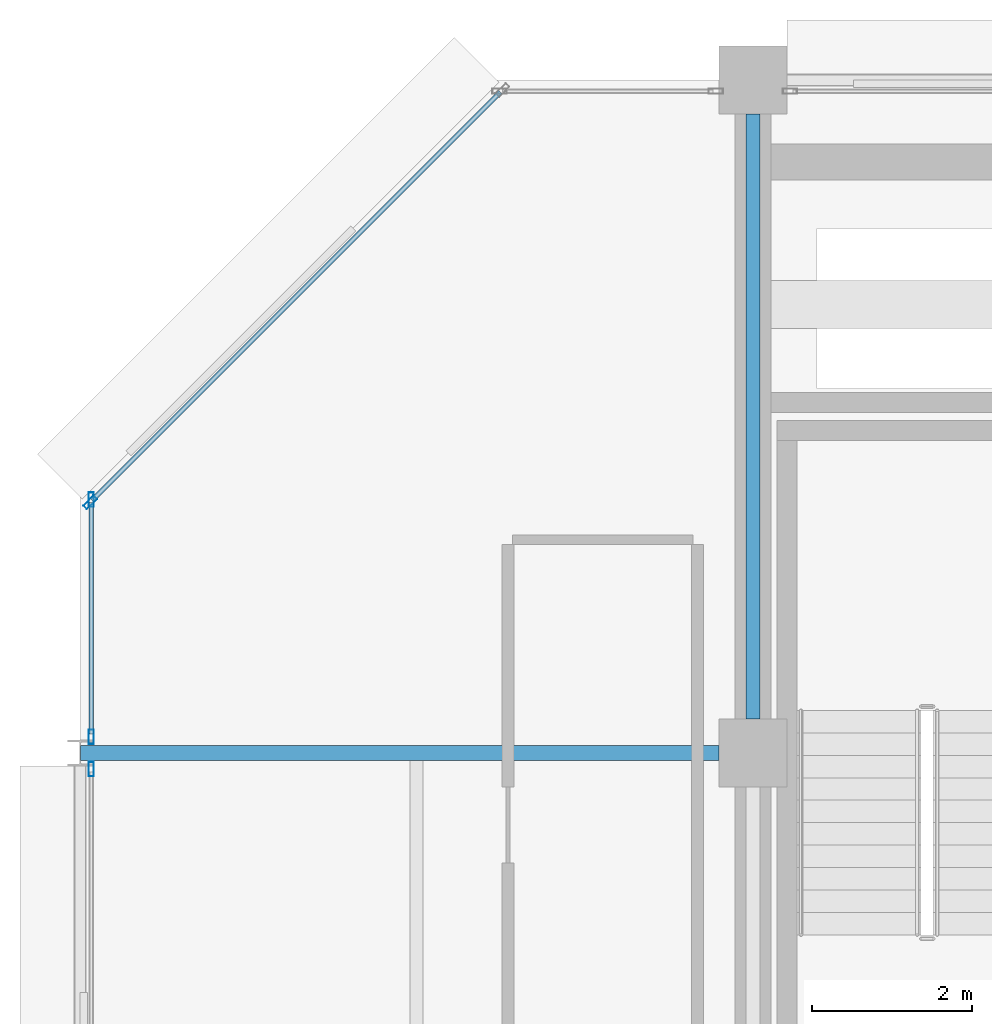
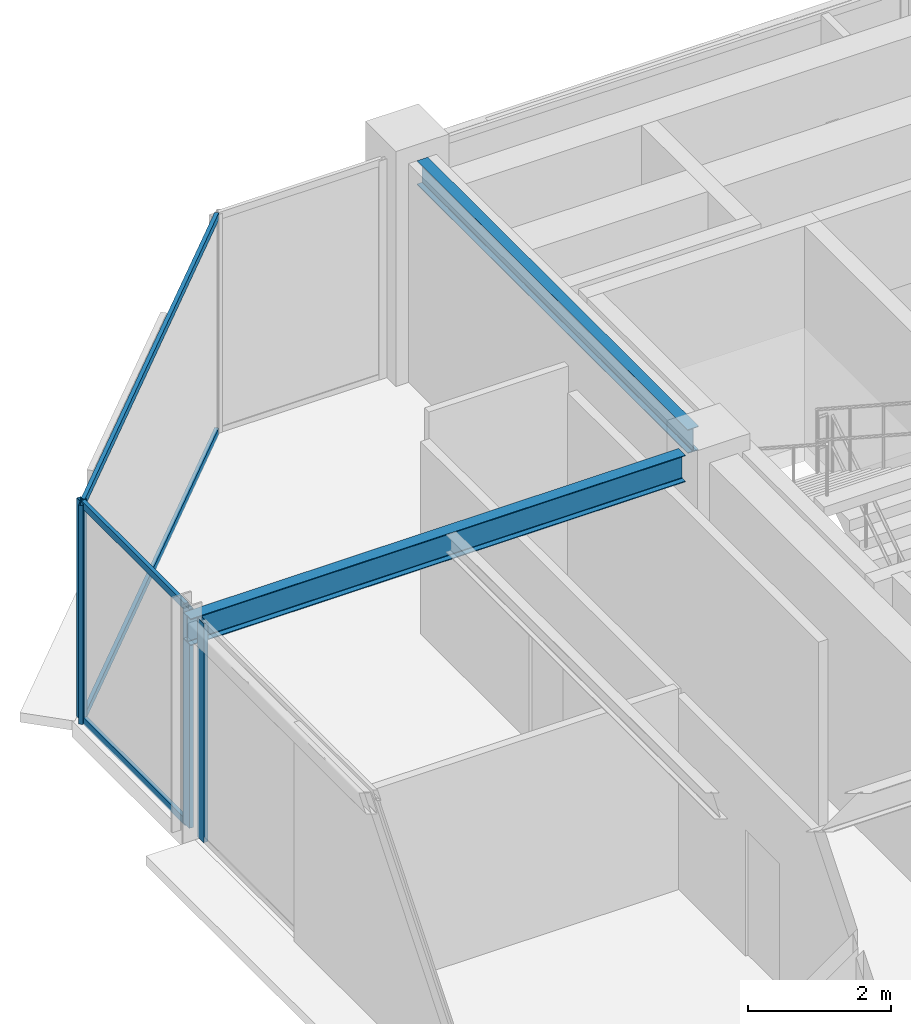
# One storey, part 16 of 25: 8 members, 2 beams, 3 elements without a shape of their own.
"""IFC4 building model written with IfcOpenShell, lengths in metres."""

from ifc_helpers import new_model, si_unit, direction, frame, origin, origin_2d, place, context, subcontext, project, spatial, hollow_rectangle, i_section, extrude, material, layer, layer_set, material_profile, profile_set, type_object, element, aggregate, save


model = new_model("IFC4")

# Units and contexts
model_context = context("Model", 3, precision=1e-05, world=origin(), true_north=direction((0.0, 1.0)))
body_context = subcontext(model_context, "Body", "Model", "MODEL_VIEW")
ifc_project = project(units=[si_unit("LENGTHUNIT", "METRE"), si_unit("AREAUNIT", "SQUARE_METRE"), si_unit("VOLUMEUNIT", "CUBIC_METRE"), si_unit("PLANEANGLEUNIT", "RADIAN"), si_unit("MASSUNIT", "GRAM", prefix="KILO")], contexts=[model_context])

# Site, building, storey
site_placement = place(None, origin())
site = spatial("IfcSite", under=ifc_project, at=site_placement, CompositionType="ELEMENT")
building_placement = place(site_placement, origin())
building = spatial("IfcBuilding", under=site, at=building_placement, Name="Nerrivon Quay Data Exchange", CompositionType="ELEMENT")
storey_placement = place(building_placement, frame((0.0, 0.0, 302.199951171875)))
storey = spatial("IfcBuildingStorey", under=building, at=storey_placement, Name="L72", CompositionType="ELEMENT", Elevation=302.199951171875)

# Beams
ifc_material_1 = material(Name="Steel Grade 350", Category="steel")
ifc_material_profile_1 = material_profile(ifc_material_1, i_section(OverallWidth=0.18994140625, OverallDepth=0.4541015625, WebThickness=0.008544921875, FlangeThickness=0.0126953125, FilletRadius=0.011474609375, at=origin_2d()), Name="460UB67.1")
ifc_profile_set_1 = profile_set([ifc_material_profile_1], Name="Steel Grade 350")
beam_type_1 = type_object("IfcBeamType", Name="BM-G6-460UB67", PredefinedType="BEAM", material=ifc_profile_set_1)
beam_1_placement = place(storey_placement, frame((0.0078125, 33.60009765625, 3.498046875), z_axis=(1.0, 0.0, 0.0), x_axis=(0.0, 1.0, 0.0)))
element("IfcBeam", 1, at=beam_1_placement, inside=storey, type_object=beam_type_1, Name="L72 EW Girder Y=33.6 (0.0..8.4)", PredefinedType="BEAM", context=body_context, shape_type="SweptSolid", body=[
    extrude(i_section(OverallWidth=0.18994140625, OverallDepth=0.4541015625, WebThickness=0.008544921875, FlangeThickness=0.0126953125, FilletRadius=0.011474609375, at=origin_2d()), origin(), (0.0, 0.0, 1.0), 7.96728515625),
])
ifc_material_profile_2 = material_profile(ifc_material_1, i_section(OverallWidth=0.177978515625, OverallDepth=0.406005859375, WebThickness=0.0078125, FlangeThickness=0.0126953125, FilletRadius=0.011474609375, at=origin_2d()), Name="410UB59.7")
ifc_profile_set_2 = profile_set([ifc_material_profile_2], Name="Steel Grade 350")
beam_type_2 = type_object("IfcBeamType", Name="BM-J1-410UB60", PredefinedType="JOIST", material=ifc_profile_set_2)
beam_2_placement = place(storey_placement, frame((8.39990234375, 34.02490234375, 3.52197265625), z_axis=(0.0, 1.0, 0.0), x_axis=(-1.0, 0.0, 0.0)))
element("IfcBeam", 2, at=beam_2_placement, inside=storey, type_object=beam_type_2, Name="L72 NS Girder X=8.4 (33.6..42.0)", PredefinedType="JOIST", context=body_context, shape_type="SweptSolid", body=[
    extrude(i_section(OverallWidth=0.177978515625, OverallDepth=0.406005859375, WebThickness=0.0078125, FlangeThickness=0.0126953125, FilletRadius=0.011474609375, at=origin_2d()), origin(), (0.0, 0.0, 1.0), 7.550048828125),
])

# Curtain wall, member
ifc_material_2 = material(Name="Anodised aluminium 6063-T6", Category="aluminium")
ifc_layer = layer(ifc_material_2, 0.195068359375)
ifc_layer_set = layer_set([ifc_layer], Name="Anodised aluminium 6063-T6")
curtain_wall_type = type_object("IfcCurtainWallType", Name="CW-SYS-06", PredefinedType="NOTDEFINED", material=ifc_layer_set)
curtain_wall_1_placement = place(storey_placement, origin())
curtain_wall_1 = element("IfcCurtainWall", 3, at=curtain_wall_1_placement, inside=storey, type_object=curtain_wall_type, Name="L72 Unitised Curtain Wall 11", PredefinedType="NOTDEFINED")
ifc_material_profile_3 = material_profile(ifc_material_2, hollow_rectangle(XDim=0.06494140625, YDim=0.179931640625, WallThickness=0.00341796875, at=origin_2d()), Name="ALU-MULL-180x65")
ifc_profile_set_3 = profile_set([ifc_material_profile_3], Name="Anodised aluminium 6063-T6")
member_type_1 = type_object("IfcMemberType", Name="CWM-180x65", PredefinedType="MULLION", material=ifc_profile_set_3)
member_1_placement = place(storey_placement, frame((0.139892578125, 33.39892578125, 0.0), z_axis=(0.0, 0.0, 1.0), x_axis=(-1.0, 0.0, 0.0)))
member_1 = element("IfcMember", 4, at=member_1_placement, type_object=member_type_1, Name="CW06 mullion 2", PredefinedType="MULLION", context=body_context, shape_type="SweptSolid", body=[
    extrude(hollow_rectangle(XDim=0.06494140625, YDim=0.179931640625, WallThickness=0.00341796875, at=origin_2d()), origin(), (0.0, 0.0, 1.0), 3.72509765625),
])
aggregate(curtain_wall_1, [member_1])

# Curtain wall, members
curtain_wall_2_placement = place(storey_placement, origin())
curtain_wall_2 = element("IfcCurtainWall", 5, at=curtain_wall_2_placement, inside=storey, type_object=curtain_wall_type, Name="L72 Unitised Curtain Wall 12", PredefinedType="NOTDEFINED")
member_2_placement = place(storey_placement, frame((0.139892578125, 33.801025390625, 0.0), z_axis=(0.0, 0.0, 1.0), x_axis=(-1.0, 0.0, 0.0)))
member_2 = element("IfcMember", 6, at=member_2_placement, type_object=member_type_1, Name="CW06 mullion 1", PredefinedType="MULLION", context=body_context, shape_type="SweptSolid", body=[
    extrude(hollow_rectangle(XDim=0.06494140625, YDim=0.179931640625, WallThickness=0.00341796875, at=origin_2d()), origin(), (0.0, 0.0, 1.0), 3.72509765625),
])
member_3_placement = place(storey_placement, frame((0.139892578125, 36.762451171875, 0.0), z_axis=(0.0, 0.0, 1.0), x_axis=(-1.0, 0.0, 0.0)))
member_3 = element("IfcMember", 7, at=member_3_placement, type_object=member_type_1, Name="CW06 mullion 2", PredefinedType="MULLION", context=body_context, shape_type="SweptSolid", body=[
    extrude(hollow_rectangle(XDim=0.06494140625, YDim=0.179931640625, WallThickness=0.00341796875, at=origin_2d()), origin(), (0.0, 0.0, 1.0), 3.72509765625),
])

# Curtain wall, member
curtain_wall_3_placement = place(storey_placement, origin())
curtain_wall_3 = element("IfcCurtainWall", 8, at=curtain_wall_3_placement, inside=storey, type_object=curtain_wall_type, Name="L72 Unitised Curtain Wall 13", PredefinedType="NOTDEFINED")
member_4_placement = place(storey_placement, frame((0.12548828125, 36.7275390625, 0.0), z_axis=(0.0, 0.0, 1.0), x_axis=(-0.707106781187, 0.707106781187, 0.0)))
member_4 = element("IfcMember", 9, at=member_4_placement, type_object=member_type_1, Name="CW06 mullion 1", PredefinedType="MULLION", context=body_context, shape_type="SweptSolid", body=[
    extrude(hollow_rectangle(XDim=0.06494140625, YDim=0.179931640625, WallThickness=0.00341796875, at=origin_2d()), origin(), (0.0, 0.0, 1.0), 3.72509765625),
])

# Member
ifc_material_profile_4 = material_profile(ifc_material_2, hollow_rectangle(XDim=0.06005859375, YDim=0.1201171875, WallThickness=0.003173828125, at=origin_2d()), Name="ALU-TRAN-120x60")
ifc_profile_set_4 = profile_set([ifc_material_profile_4], Name="Anodised aluminium 6063-T6")
member_type_2 = type_object("IfcMemberType", Name="CWT-120x60", PredefinedType="USERDEFINED", material=ifc_profile_set_4)
member_5_placement = place(storey_placement, frame((0.139892578125, 33.83837890625, 0.032470703125), z_axis=(0.0, 1.0, 0.0), x_axis=(-1.0, 0.0, 0.0)))
member_5 = element("IfcMember", 10, at=member_5_placement, type_object=member_type_2, Name="CW06 transom 1.1", ObjectType="TRANSOM", PredefinedType="USERDEFINED", context=body_context, shape_type="SweptSolid", body=[
    extrude(hollow_rectangle(XDim=0.06005859375, YDim=0.1201171875, WallThickness=0.003173828125, at=origin_2d()), origin(), (0.0, 0.0, 1.0), 2.88671875),
])

member_6_placement = place(storey_placement, frame((0.139892578125, 33.83837890625, 3.692626953125), z_axis=(0.0, 1.0, 0.0), x_axis=(-1.0, 0.0, 0.0)))
member_6 = element("IfcMember", 11, at=member_6_placement, type_object=member_type_2, Name="CW06 transom 1.2", ObjectType="TRANSOM", PredefinedType="USERDEFINED", context=body_context, shape_type="SweptSolid", body=[
    extrude(hollow_rectangle(XDim=0.06005859375, YDim=0.1201171875, WallThickness=0.003173828125, at=origin_2d()), origin(), (0.0, 0.0, 1.0), 2.88671875),
])

aggregate(curtain_wall_2, [member_2, member_3, member_5, member_6])

member_7_placement = place(storey_placement, frame((0.152099609375, 36.754150390625, 0.032470703125), z_axis=(0.707106781187, 0.707106781187, 0.0), x_axis=(-0.707106781187, 0.707106781187, 0.0)))
member_7 = element("IfcMember", 12, at=member_7_placement, type_object=member_type_2, Name="CW06 transom 1.1", ObjectType="TRANSOM", PredefinedType="USERDEFINED", context=body_context, shape_type="SweptSolid", body=[
    extrude(hollow_rectangle(XDim=0.06005859375, YDim=0.1201171875, WallThickness=0.003173828125, at=origin_2d()), origin(), (0.0, 0.0, 1.0), 7.20361328125),
])

member_8_placement = place(storey_placement, frame((0.152099609375, 36.754150390625, 3.692626953125), z_axis=(0.707106781187, 0.707106781187, 0.0), x_axis=(-0.707106781187, 0.707106781187, 0.0)))
member_8 = element("IfcMember", 13, at=member_8_placement, type_object=member_type_2, Name="CW06 transom 1.2", ObjectType="TRANSOM", PredefinedType="USERDEFINED", context=body_context, shape_type="SweptSolid", body=[
    extrude(hollow_rectangle(XDim=0.06005859375, YDim=0.1201171875, WallThickness=0.003173828125, at=origin_2d()), origin(), (0.0, 0.0, 1.0), 7.20361328125),
])

aggregate(curtain_wall_3, [member_4, member_7, member_8])

save(model, "model.ifc")
